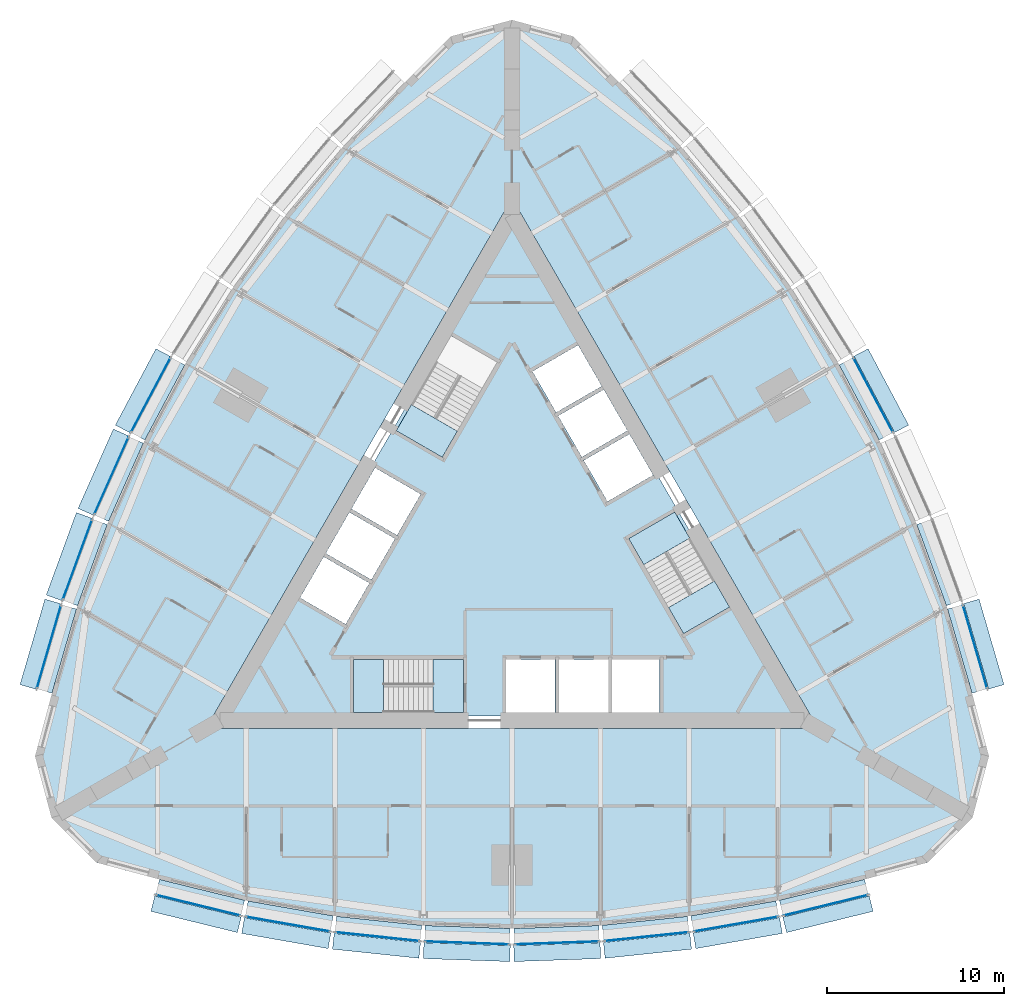
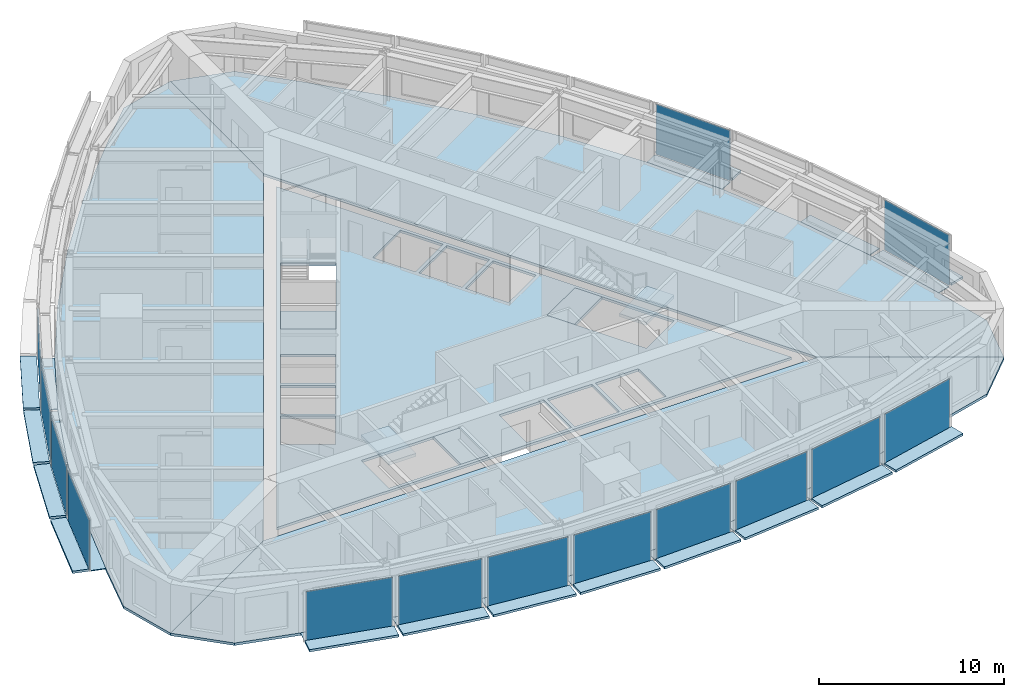
# One storey, part 6 of 14: 43 plates, 9 slabs, 17 elements without a shape of their own.
"""IFC4 building model written with IfcOpenShell, lengths in metres."""

from ifc_helpers import new_model, si_unit, direction, frame, origin, origin_2d, place, context, subcontext, project, spatial, polyline, rectangle, outline, extrude, material, layer, layer_set, type_object, element, aggregate, save


model = new_model("IFC4")

# Units and contexts
model_context = context("Model", 3, precision=1e-05, world=origin(), true_north=direction((0.0, 1.0)))
body_context = subcontext(model_context, "Body", "Model", "MODEL_VIEW")
ifc_project = project(units=[si_unit("LENGTHUNIT", "METRE"), si_unit("AREAUNIT", "SQUARE_METRE"), si_unit("VOLUMEUNIT", "CUBIC_METRE"), si_unit("PLANEANGLEUNIT", "RADIAN"), si_unit("MASSUNIT", "GRAM", prefix="KILO")], contexts=[model_context])

# Site, building, storey
site_placement = place(None, origin())
site = spatial("IfcSite", under=ifc_project, at=site_placement, CompositionType="ELEMENT")
building_placement = place(site_placement, origin())
building = spatial("IfcBuilding", under=site, at=building_placement, Name="Trikona Tower", CompositionType="ELEMENT")
storey_placement = place(building_placement, frame((0.0, 0.0, 182.699951171875)))
storey = spatial("IfcBuildingStorey", under=building, at=storey_placement, Name="L49", CompositionType="ELEMENT", Elevation=182.699951171875)

# Plates
ifc_material_1 = material(Name="Aluminium bar grating", Category="aluminium")
ifc_layer_1 = layer(ifc_material_1, 0.050048828125)
ifc_layer_set_1 = layer_set([ifc_layer_1], Name="Cavity catwalk grating")
plate_type_1 = type_object("IfcPlateType", Name="Cavity catwalk grating", PredefinedType="USERDEFINED", material=ifc_layer_set_1)
plate_1_placement = place(storey_placement, frame((-17.598876953125, -19.49072265625, -0.0498046875), z_axis=(0.0, 0.0, 1.0), x_axis=(0.971274411564, -0.237962218516, 0.0)))
element("IfcPlate", 1, at=plate_1_placement, inside=storey, type_object=plate_type_1, Name="Cavity catwalk L49-00", ObjectType="CATWALK GRATING", PredefinedType="USERDEFINED", context=body_context, shape_type="SweptSolid", body=[
    extrude(rectangle(XDim=4.947998046875, YDim=0.830078125, at=origin_2d()), origin(), (0.0, 0.0, 1.0), 0.050048828125),
])
plate_2_placement = place(storey_placement, frame((-12.571533203125, -20.54638671875, -0.0498046875), z_axis=(0.0, 0.0, 1.0), x_axis=(0.985030604067, -0.172379549401, 0.0)))
element("IfcPlate", 2, at=plate_2_placement, inside=storey, type_object=plate_type_1, Name="Cavity catwalk L49-01", ObjectType="CATWALK GRATING", PredefinedType="USERDEFINED", context=body_context, shape_type="SweptSolid", body=[
    extrude(rectangle(XDim=4.8759765625, YDim=0.830078125, at=origin_2d()), origin(), (0.0, 0.0, 1.0), 0.050048828125),
])
plate_3_placement = place(storey_placement, frame((-7.543212890625, -21.25048828125, -0.0498046875), z_axis=(0.0, 0.0, 1.0), x_axis=(0.994532653854, -0.104426052392, 0.0)))
element("IfcPlate", 3, at=plate_3_placement, inside=storey, type_object=plate_type_1, Name="Cavity catwalk L49-02", ObjectType="CATWALK GRATING", PredefinedType="USERDEFINED", context=body_context, shape_type="SweptSolid", body=[
    extrude(rectangle(XDim=4.827392578125, YDim=0.830078125, at=origin_2d()), origin(), (0.0, 0.0, 1.0), 0.050048828125),
])
for number, where, z_axis, x_axis, name in (
    (4, (-2.514404296875, -21.602294921875, -0.0498046875), (0.0, 0.0, 1.0), (0.999388082937, -0.034977988567, 0.0), "Cavity catwalk L49-03"),
    (5, (2.514404296875, -21.602294921875, -0.0498046875), (0.0, 0.0, 1.0), (0.999388082937, 0.034977988567, 0.0), "Cavity catwalk L49-04"),
):
    element("IfcPlate", number, at=place(storey_placement, frame(where, z_axis=z_axis, x_axis=x_axis)), inside=storey, type_object=plate_type_1, Name=name, ObjectType="CATWALK GRATING", PredefinedType="USERDEFINED", context=body_context, shape_type="SweptSolid", body=[
        extrude(rectangle(XDim=4.802978515625, YDim=0.830078125, at=origin_2d()), origin(), (0.0, 0.0, 1.0), 0.050048828125),
    ])
plate_4_placement = place(storey_placement, frame((7.543212890625, -21.25048828125, -0.0498046875), z_axis=(0.0, 0.0, 1.0), x_axis=(0.994532653854, 0.104426052392, 0.0)))
element("IfcPlate", 6, at=plate_4_placement, inside=storey, type_object=plate_type_1, Name="Cavity catwalk L49-05", ObjectType="CATWALK GRATING", PredefinedType="USERDEFINED", context=body_context, shape_type="SweptSolid", body=[
    extrude(rectangle(XDim=4.827392578125, YDim=0.830078125, at=origin_2d()), origin(), (0.0, 0.0, 1.0), 0.050048828125),
])
plate_5_placement = place(storey_placement, frame((12.571533203125, -20.54638671875, -0.0498046875), z_axis=(0.0, 0.0, 1.0), x_axis=(0.985030604067, 0.172379549401, 0.0)))
element("IfcPlate", 7, at=plate_5_placement, inside=storey, type_object=plate_type_1, Name="Cavity catwalk L49-06", ObjectType="CATWALK GRATING", PredefinedType="USERDEFINED", context=body_context, shape_type="SweptSolid", body=[
    extrude(rectangle(XDim=4.8759765625, YDim=0.830078125, at=origin_2d()), origin(), (0.0, 0.0, 1.0), 0.050048828125),
])
plate_6_placement = place(storey_placement, frame((17.598876953125, -19.49072265625, -0.0498046875), z_axis=(0.0, 0.0, 1.0), x_axis=(0.971274411564, 0.237962218516, 0.0)))
element("IfcPlate", 8, at=plate_6_placement, inside=storey, type_object=plate_type_1, Name="Cavity catwalk L49-07", ObjectType="CATWALK GRATING", PredefinedType="USERDEFINED", context=body_context, shape_type="SweptSolid", body=[
    extrude(rectangle(XDim=4.947998046875, YDim=0.830078125, at=origin_2d()), origin(), (0.0, 0.0, 1.0), 0.050048828125),
])
plate_7_placement = place(storey_placement, frame((25.678955078125, -5.49560546875, -0.0498046875), z_axis=(0.0, 0.0, 1.0), x_axis=(-0.279554203664, 0.960129911634, 0.0)))
element("IfcPlate", 9, at=plate_7_placement, inside=storey, type_object=plate_type_1, Name="Cavity catwalk L49-12", ObjectType="CATWALK GRATING", PredefinedType="USERDEFINED", context=body_context, shape_type="SweptSolid", body=[
    extrude(rectangle(XDim=4.94775390625, YDim=0.830078125, at=origin_2d()), origin(), (0.0, 0.0, 1.0), 0.050048828125),
])
plate_8_placement = place(storey_placement, frame((24.07958984375, -0.614013671875, -0.0498046875), z_axis=(0.0, 0.0, 1.0), x_axis=(-0.343220397324, 0.939254895575, 0.0)))
element("IfcPlate", 10, at=plate_8_placement, inside=storey, type_object=plate_type_1, Name="Cavity catwalk L49-13", ObjectType="CATWALK GRATING", PredefinedType="USERDEFINED", context=body_context, shape_type="SweptSolid", body=[
    extrude(rectangle(XDim=4.8759765625, YDim=0.830078125, at=origin_2d()), origin(), (0.0, 0.0, 1.0), 0.050048828125),
])
for number, where, z_axis, x_axis, name in (
    (11, (19.965576171875, 8.62353515625, -0.0498046875), (0.0, 0.0, 1.0), (-0.469397591494, 0.882986920118, 0.0), "Cavity catwalk L49-15"),
    (12, (-19.965576171875, 8.62353515625, -0.0498046875), (0.0, 0.0, 1.0), (-0.469397591494, -0.882986920118, 0.0), "Cavity catwalk L49-28"),
):
    element("IfcPlate", number, at=place(storey_placement, frame(where, z_axis=z_axis, x_axis=x_axis)), inside=storey, type_object=plate_type_1, Name=name, ObjectType="CATWALK GRATING", PredefinedType="USERDEFINED", context=body_context, shape_type="SweptSolid", body=[
        extrude(rectangle(XDim=4.802978515625, YDim=0.830078125, at=origin_2d()), origin(), (0.0, 0.0, 1.0), 0.050048828125),
    ])
plate_9_placement = place(storey_placement, frame((-22.175048828125, 4.092529296875, -0.0498046875), z_axis=(0.0, 0.0, 1.0), x_axis=(-0.406843467615, -0.913497888809, 0.0)))
element("IfcPlate", 13, at=plate_9_placement, inside=storey, type_object=plate_type_1, Name="Cavity catwalk L49-29", ObjectType="CATWALK GRATING", PredefinedType="USERDEFINED", context=body_context, shape_type="SweptSolid", body=[
    extrude(rectangle(XDim=4.827392578125, YDim=0.830078125, at=origin_2d()), origin(), (0.0, 0.0, 1.0), 0.050048828125),
])
plate_10_placement = place(storey_placement, frame((-24.07958984375, -0.614013671875, -0.0498046875), z_axis=(0.0, 0.0, 1.0), x_axis=(-0.343220397324, -0.939254895575, 0.0)))
element("IfcPlate", 14, at=plate_10_placement, inside=storey, type_object=plate_type_1, Name="Cavity catwalk L49-30", ObjectType="CATWALK GRATING", PredefinedType="USERDEFINED", context=body_context, shape_type="SweptSolid", body=[
    extrude(rectangle(XDim=4.8759765625, YDim=0.830078125, at=origin_2d()), origin(), (0.0, 0.0, 1.0), 0.050048828125),
])
plate_11_placement = place(storey_placement, frame((-25.678955078125, -5.49560546875, -0.0498046875), z_axis=(0.0, 0.0, 1.0), x_axis=(-0.279554203664, -0.960129911634, 0.0)))
element("IfcPlate", 15, at=plate_11_placement, inside=storey, type_object=plate_type_1, Name="Cavity catwalk L49-31", ObjectType="CATWALK GRATING", PredefinedType="USERDEFINED", context=body_context, shape_type="SweptSolid", body=[
    extrude(rectangle(XDim=4.94775390625, YDim=0.830078125, at=origin_2d()), origin(), (0.0, 0.0, 1.0), 0.050048828125),
])

# Slabs
ifc_material_2 = material(Name="Concrete f'c 5000 psi lightweight on composite steel deck", Category="concrete")
ifc_layer_2 = layer(ifc_material_2, 0.1650390625)
ifc_layer_set_2 = layer_set([ifc_layer_2], Name="Composite floor slab 165")
slab_type_1 = type_object("IfcSlabType", Name="Composite floor slab 165", PredefinedType="FLOOR", material=ifc_layer_set_2)
slab_1_placement = place(storey_placement, frame((0.0, 0.0, -0.1650390625)))
element("IfcSlab", 16, at=slab_1_placement, inside=storey, type_object=slab_type_1, Name="Floor slab L49 core", PredefinedType="FLOOR", context=body_context, shape_type="SweptSolid", body=[
    extrude(outline(polyline([(-16.06689453125, -9.2763671875), (16.06689453125, -9.2763671875), (0.0, 18.552490234375), (-16.06689453125, -9.2763671875)]), holes=[polyline([(12.285400390625, -3.126220703125), (9.185302734375, 2.2431640625), (6.587158203125, 0.7431640625), (9.687255859375, -4.626220703125), (12.285400390625, -3.126220703125)]), polyline([(8.340087890625, -9.06640625), (8.340087890625, -6.086181640625), (5.659912109375, -6.086181640625), (5.659912109375, -9.06640625), (8.340087890625, -9.06640625)]), polyline([(5.390869140625, 2.835205078125), (7.9716796875, 4.3251953125), (6.631591796875, 6.646240234375), (4.05078125, 5.15625), (5.390869140625, 2.835205078125)]), polyline([(2.600830078125, 7.667724609375), (3.94091796875, 5.3466796875), (6.521484375, 6.8369140625), (5.181640625, 9.15771484375), (2.600830078125, 7.667724609375)]), polyline([(5.43994140625, -6.086181640625), (2.659912109375, -6.086181640625), (2.659912109375, -9.06640625), (5.43994140625, -9.06640625), (5.43994140625, -6.086181640625)]), polyline([(3.731689453125, 11.669189453125), (1.15087890625, 10.17919921875), (2.490966796875, 7.858154296875), (5.071533203125, 9.34814453125), (3.731689453125, 11.669189453125)]), polyline([(-0.340087890625, -6.086181640625), (-0.340087890625, -9.06640625), (2.43994140625, -9.06640625), (2.43994140625, -6.086181640625), (-0.340087890625, -6.086181640625)]), polyline([(-3.435302734375, 12.202392578125), (-6.535400390625, 6.8330078125), (-3.937255859375, 5.3330078125), (-0.837158203125, 10.702392578125), (-3.435302734375, 12.202392578125)]), polyline([(-8.949951171875, -9.076416015625), (-2.75, -9.076416015625), (-2.75, -6.076416015625), (-8.949951171875, -6.076416015625), (-8.949951171875, -9.076416015625)]), polyline([(-5.15087890625, 3.2509765625), (-7.731689453125, 4.740966796875), (-9.071533203125, 2.419921875), (-6.490966796875, 0.929931640625), (-5.15087890625, 3.2509765625)]), polyline([(-7.94091796875, -1.581298828125), (-6.600830078125, 0.739501953125), (-9.181640625, 2.2294921875), (-10.521484375, -0.09130859375), (-7.94091796875, -1.581298828125)]), polyline([(-11.9716796875, -2.602783203125), (-9.390869140625, -4.093017578125), (-8.05078125, -1.77197265625), (-10.631591796875, -0.281982421875), (-11.9716796875, -2.602783203125)])]), origin(), (0.0, 0.0, 1.0), 0.1650390625),
])
slab_2_placement = place(storey_placement, frame((0.0, 0.0, -0.1650390625)))
element("IfcSlab", 17, at=slab_2_placement, inside=storey, type_object=slab_type_1, Name="Floor slab L49 south", PredefinedType="FLOOR", context=body_context, shape_type="SweptSolid", body=[
    extrude(outline(polyline([(23.464111328125, -17.547119140625), (26.0, -15.010986328125), (17.279296875, -9.976318359375), (-17.279296875, -9.976318359375), (-26.0, -15.010986328125), (-23.464111328125, -17.547119140625), (-20.0, -18.47509765625), (-15.0, -19.7001953125), (-10.0, -20.5751953125), (-5.0, -21.10009765625), (0.0, -21.275146484375), (5.0, -21.10009765625), (10.0, -20.5751953125), (15.0, -19.7001953125), (20.0, -18.47509765625), (23.464111328125, -17.547119140625)])), origin(), (0.0, 0.0, 1.0), 0.1650390625),
])
slab_3_placement = place(storey_placement, frame((0.0, 0.0, -0.1650390625)))
element("IfcSlab", 18, at=slab_3_placement, inside=storey, type_object=slab_type_1, Name="Floor slab L49 north-east", PredefinedType="FLOOR", context=body_context, shape_type="SweptSolid", body=[
    extrude(outline(polyline([(3.464111328125, 29.093994140625), (0.0, 30.022216796875), (0.0, 19.95263671875), (17.279296875, -9.976318359375), (26.0, -15.010986328125), (26.92822265625, -11.547119140625), (26.0, -8.0830078125), (24.560791015625, -3.140380859375), (22.818603515625, 1.62744140625), (20.773193359375, 6.219970703125), (18.4248046875, 10.6376953125), (15.773193359375, 14.880126953125), (12.818603515625, 18.947998046875), (9.560791015625, 22.840576171875), (6.0, 26.55810546875), (3.464111328125, 29.093994140625)])), origin(), (0.0, 0.0, 1.0), 0.1650390625),
])
slab_4_placement = place(storey_placement, frame((0.0, 0.0, -0.1650390625)))
element("IfcSlab", 19, at=slab_4_placement, inside=storey, type_object=slab_type_1, Name="Floor slab L49 north-west", PredefinedType="FLOOR", context=body_context, shape_type="SweptSolid", body=[
    extrude(outline(polyline([(0.0, 19.95263671875), (0.0, 30.022216796875), (-3.464111328125, 29.093994140625), (-6.0, 26.55810546875), (-9.560791015625, 22.840576171875), (-12.818603515625, 18.947998046875), (-15.773193359375, 14.880126953125), (-18.4248046875, 10.6376953125), (-20.773193359375, 6.219970703125), (-22.818603515625, 1.62744140625), (-24.560791015625, -3.140380859375), (-26.0, -8.0830078125), (-26.92822265625, -11.547119140625), (-26.0, -15.010986328125), (-17.279296875, -9.976318359375), (0.0, 19.95263671875)])), origin(), (0.0, 0.0, 1.0), 0.1650390625),
])

# Curtain wall, plate
ifc_material_3 = material(Name="Aluminium curtain wall system", Category="aluminium")
curtain_wall_type = type_object("IfcCurtainWallType", Name="Curtain wall DS2", PredefinedType="NOTDEFINED", material=ifc_material_3)
curtain_wall_1_placement = place(storey_placement, origin())
curtain_wall_1 = element("IfcCurtainWall", 20, at=curtain_wall_1_placement, inside=storey, type_object=curtain_wall_type, Name="Curtain wall DS2 L49", PredefinedType="NOTDEFINED")
ifc_material_4 = material(Name="Laminated clear glass", Category="glass")
ifc_layer_3 = layer(ifc_material_4, 0.028076171875)
ifc_layer_set_3 = layer_set([ifc_layer_3], Name="Glass panel DS2")
plate_type_2 = type_object("IfcPlateType", Name="Glass panel DS2", PredefinedType="CURTAIN_PANEL", material=ifc_layer_set_3)
plate_12_placement = place(storey_placement, frame((-17.714111328125, -19.9619140625, 0.0), z_axis=(0.0, 0.0, 1.0), x_axis=(0.971272455026, -0.237970204243, 0.0)))
plate_12 = element("IfcPlate", 21, at=plate_12_placement, type_object=plate_type_2, Name="CW-DS2 panel 1.1", PredefinedType="CURTAIN_PANEL", context=body_context, shape_type="SweptSolid", body=[
    extrude(rectangle(XDim=4.867919921875, YDim=0.028076171875, at=origin_2d()), origin(), (0.0, 0.0, 1.0), 3.320068359375),
])
aggregate(curtain_wall_1, [plate_12])

curtain_wall_2_placement = place(storey_placement, origin())
curtain_wall_2 = element("IfcCurtainWall", 22, at=curtain_wall_2_placement, inside=storey, type_object=curtain_wall_type, Name="Curtain wall DS2 L49", PredefinedType="NOTDEFINED")
plate_13_placement = place(storey_placement, frame((-12.655029296875, -21.024169921875, 0.0), z_axis=(0.0, 0.0, 1.0), x_axis=(0.985030981074, -0.17237739505, 0.0)))
plate_13 = element("IfcPlate", 23, at=plate_13_placement, type_object=plate_type_2, Name="CW-DS2 panel 1.1", PredefinedType="CURTAIN_PANEL", context=body_context, shape_type="SweptSolid", body=[
    extrude(rectangle(XDim=4.7958984375, YDim=0.028076171875, at=origin_2d()), origin(), (0.0, 0.0, 1.0), 3.320068359375),
])
aggregate(curtain_wall_2, [plate_13])

curtain_wall_3_placement = place(storey_placement, origin())
curtain_wall_3 = element("IfcCurtainWall", 24, at=curtain_wall_3_placement, inside=storey, type_object=curtain_wall_type, Name="Curtain wall DS2 L49", PredefinedType="NOTDEFINED")
plate_14_placement = place(storey_placement, frame((-7.593994140625, -21.732666015625, 0.0), z_axis=(0.0, 0.0, 1.0), x_axis=(0.994531883654, -0.104433387357, 0.0)))
plate_14 = element("IfcPlate", 25, at=plate_14_placement, type_object=plate_type_2, Name="CW-DS2 panel 1.1", PredefinedType="CURTAIN_PANEL", context=body_context, shape_type="SweptSolid", body=[
    extrude(rectangle(XDim=4.747314453125, YDim=0.028076171875, at=origin_2d()), origin(), (0.0, 0.0, 1.0), 3.320068359375),
])
aggregate(curtain_wall_3, [plate_14])

curtain_wall_4_placement = place(storey_placement, origin())
curtain_wall_4 = element("IfcCurtainWall", 26, at=curtain_wall_4_placement, inside=storey, type_object=curtain_wall_type, Name="Curtain wall DS2 L49", PredefinedType="NOTDEFINED")
plate_15_placement = place(storey_placement, frame((-2.531494140625, -22.087158203125, 0.0), z_axis=(0.0, 0.0, 1.0), x_axis=(0.99938737114, -0.034998320052, 0.0)))
plate_15 = element("IfcPlate", 27, at=plate_15_placement, type_object=plate_type_2, Name="CW-DS2 panel 1.1", PredefinedType="CURTAIN_PANEL", context=body_context, shape_type="SweptSolid", body=[
    extrude(rectangle(XDim=4.72314453125, YDim=0.028076171875, at=origin_2d()), origin(), (0.0, 0.0, 1.0), 3.320068359375),
])
aggregate(curtain_wall_4, [plate_15])

curtain_wall_5_placement = place(storey_placement, origin())
curtain_wall_5 = element("IfcCurtainWall", 28, at=curtain_wall_5_placement, inside=storey, type_object=curtain_wall_type, Name="Curtain wall DS2 L49", PredefinedType="NOTDEFINED")
plate_16_placement = place(storey_placement, frame((2.531494140625, -22.087158203125, 0.0), z_axis=(0.0, 0.0, 1.0), x_axis=(0.99938737114, 0.034998320052, 0.0)))
plate_16 = element("IfcPlate", 29, at=plate_16_placement, type_object=plate_type_2, Name="CW-DS2 panel 1.1", PredefinedType="CURTAIN_PANEL", context=body_context, shape_type="SweptSolid", body=[
    extrude(rectangle(XDim=4.72314453125, YDim=0.028076171875, at=origin_2d()), origin(), (0.0, 0.0, 1.0), 3.320068359375),
])
aggregate(curtain_wall_5, [plate_16])

curtain_wall_6_placement = place(storey_placement, origin())
curtain_wall_6 = element("IfcCurtainWall", 30, at=curtain_wall_6_placement, inside=storey, type_object=curtain_wall_type, Name="Curtain wall DS2 L49", PredefinedType="NOTDEFINED")
plate_17_placement = place(storey_placement, frame((7.593994140625, -21.732666015625, 0.0), z_axis=(0.0, 0.0, 1.0), x_axis=(0.994531883654, 0.104433387357, 0.0)))
plate_17 = element("IfcPlate", 31, at=plate_17_placement, type_object=plate_type_2, Name="CW-DS2 panel 1.1", PredefinedType="CURTAIN_PANEL", context=body_context, shape_type="SweptSolid", body=[
    extrude(rectangle(XDim=4.747314453125, YDim=0.028076171875, at=origin_2d()), origin(), (0.0, 0.0, 1.0), 3.320068359375),
])
aggregate(curtain_wall_6, [plate_17])

curtain_wall_7_placement = place(storey_placement, origin())
curtain_wall_7 = element("IfcCurtainWall", 32, at=curtain_wall_7_placement, inside=storey, type_object=curtain_wall_type, Name="Curtain wall DS2 L49", PredefinedType="NOTDEFINED")
plate_18_placement = place(storey_placement, frame((12.655029296875, -21.024169921875, 0.0), z_axis=(0.0, 0.0, 1.0), x_axis=(0.985030981074, 0.17237739505, 0.0)))
plate_18 = element("IfcPlate", 33, at=plate_18_placement, type_object=plate_type_2, Name="CW-DS2 panel 1.1", PredefinedType="CURTAIN_PANEL", context=body_context, shape_type="SweptSolid", body=[
    extrude(rectangle(XDim=4.7958984375, YDim=0.028076171875, at=origin_2d()), origin(), (0.0, 0.0, 1.0), 3.320068359375),
])
aggregate(curtain_wall_7, [plate_18])

curtain_wall_8_placement = place(storey_placement, origin())
curtain_wall_8 = element("IfcCurtainWall", 34, at=curtain_wall_8_placement, inside=storey, type_object=curtain_wall_type, Name="Curtain wall DS2 L49", PredefinedType="NOTDEFINED")
plate_19_placement = place(storey_placement, frame((17.714111328125, -19.9619140625, 0.0), z_axis=(0.0, 0.0, 1.0), x_axis=(0.971272455026, 0.237970204243, 0.0)))
plate_19 = element("IfcPlate", 35, at=plate_19_placement, type_object=plate_type_2, Name="CW-DS2 panel 1.1", PredefinedType="CURTAIN_PANEL", context=body_context, shape_type="SweptSolid", body=[
    extrude(rectangle(XDim=4.867919921875, YDim=0.028076171875, at=origin_2d()), origin(), (0.0, 0.0, 1.0), 3.320068359375),
])
aggregate(curtain_wall_8, [plate_19])

curtain_wall_9_placement = place(storey_placement, origin())
curtain_wall_9 = element("IfcCurtainWall", 36, at=curtain_wall_9_placement, inside=storey, type_object=curtain_wall_type, Name="Curtain wall DS2 L49", PredefinedType="NOTDEFINED")
plate_20_placement = place(storey_placement, frame((26.14453125, -5.360107421875, 0.0), z_axis=(0.0, 0.0, 1.0), x_axis=(-0.279543247757, 0.96013310152, 0.0)))
plate_20 = element("IfcPlate", 37, at=plate_20_placement, type_object=plate_type_2, Name="CW-DS2 panel 1.1", PredefinedType="CURTAIN_PANEL", context=body_context, shape_type="SweptSolid", body=[
    extrude(rectangle(XDim=4.867919921875, YDim=0.028076171875, at=origin_2d()), origin(), (0.0, 0.0, 1.0), 3.320068359375),
])
aggregate(curtain_wall_9, [plate_20])

curtain_wall_10_placement = place(storey_placement, origin())
curtain_wall_10 = element("IfcCurtainWall", 38, at=curtain_wall_10_placement, inside=storey, type_object=curtain_wall_type, Name="Curtain wall DS2 L49", PredefinedType="NOTDEFINED")
plate_21_placement = place(storey_placement, frame((20.393798828125, 8.851318359375, 0.0), z_axis=(0.0, 0.0, 1.0), x_axis=(-0.469380308937, 0.882996107343, 0.0)))
plate_21 = element("IfcPlate", 39, at=plate_21_placement, type_object=plate_type_2, Name="CW-DS2 panel 1.1", PredefinedType="CURTAIN_PANEL", context=body_context, shape_type="SweptSolid", body=[
    extrude(rectangle(XDim=4.72314453125, YDim=0.028076171875, at=origin_2d()), origin(), (0.0, 0.0, 1.0), 3.320068359375),
])
aggregate(curtain_wall_10, [plate_21])

curtain_wall_11_placement = place(storey_placement, origin())
curtain_wall_11 = element("IfcCurtainWall", 40, at=curtain_wall_11_placement, inside=storey, type_object=curtain_wall_type, Name="Curtain wall DS2 L49", PredefinedType="NOTDEFINED")
plate_22_placement = place(storey_placement, frame((-20.393798828125, 8.851318359375, 0.0), z_axis=(0.0, 0.0, 1.0), x_axis=(-0.469380308937, -0.882996107343, 0.0)))
plate_22 = element("IfcPlate", 41, at=plate_22_placement, type_object=plate_type_2, Name="CW-DS2 panel 1.1", PredefinedType="CURTAIN_PANEL", context=body_context, shape_type="SweptSolid", body=[
    extrude(rectangle(XDim=4.72314453125, YDim=0.028076171875, at=origin_2d()), origin(), (0.0, 0.0, 1.0), 3.320068359375),
])
aggregate(curtain_wall_11, [plate_22])

curtain_wall_12_placement = place(storey_placement, origin())
curtain_wall_12 = element("IfcCurtainWall", 42, at=curtain_wall_12_placement, inside=storey, type_object=curtain_wall_type, Name="Curtain wall DS2 L49", PredefinedType="NOTDEFINED")
plate_23_placement = place(storey_placement, frame((-22.6181640625, 4.289794921875, 0.0), z_axis=(0.0, 0.0, 1.0), x_axis=(-0.406836013132, -0.913501208767, 0.0)))
plate_23 = element("IfcPlate", 43, at=plate_23_placement, type_object=plate_type_2, Name="CW-DS2 panel 1.1", PredefinedType="CURTAIN_PANEL", context=body_context, shape_type="SweptSolid", body=[
    extrude(rectangle(XDim=4.747314453125, YDim=0.028076171875, at=origin_2d()), origin(), (0.0, 0.0, 1.0), 3.320068359375),
])
aggregate(curtain_wall_12, [plate_23])

curtain_wall_13_placement = place(storey_placement, origin())
curtain_wall_13 = element("IfcCurtainWall", 44, at=curtain_wall_13_placement, inside=storey, type_object=curtain_wall_type, Name="Curtain wall DS2 L49", PredefinedType="NOTDEFINED")
plate_24_placement = place(storey_placement, frame((-24.53515625, -0.447509765625, 0.0), z_axis=(0.0, 0.0, 1.0), x_axis=(-0.343223420143, -0.939253790978, 0.0)))
plate_24 = element("IfcPlate", 45, at=plate_24_placement, type_object=plate_type_2, Name="CW-DS2 panel 1.1", PredefinedType="CURTAIN_PANEL", context=body_context, shape_type="SweptSolid", body=[
    extrude(rectangle(XDim=4.7958984375, YDim=0.028076171875, at=origin_2d()), origin(), (0.0, 0.0, 1.0), 3.320068359375),
])
aggregate(curtain_wall_13, [plate_24])

curtain_wall_14_placement = place(storey_placement, origin())
curtain_wall_14 = element("IfcCurtainWall", 46, at=curtain_wall_14_placement, inside=storey, type_object=curtain_wall_type, Name="Curtain wall DS2 L49", PredefinedType="NOTDEFINED")
plate_25_placement = place(storey_placement, frame((-26.14453125, -5.360107421875, 0.0), z_axis=(0.0, 0.0, 1.0), x_axis=(-0.279543247757, -0.96013310152, 0.0)))
plate_25 = element("IfcPlate", 47, at=plate_25_placement, type_object=plate_type_2, Name="CW-DS2 panel 1.1", PredefinedType="CURTAIN_PANEL", context=body_context, shape_type="SweptSolid", body=[
    extrude(rectangle(XDim=4.867919921875, YDim=0.028076171875, at=origin_2d()), origin(), (0.0, 0.0, 1.0), 3.320068359375),
])
aggregate(curtain_wall_14, [plate_25])

# Plates
ifc_material_5 = material(Name="Aluminium plate fin, pale anodised, on stainless steel outriggers", Category="steel")
ifc_layer_4 = layer(ifc_material_5, 0.14990234375)
ifc_layer_set_4 = layer_set([ifc_layer_4], Name="Outer skin fin 900")
plate_type_3 = type_object("IfcPlateType", Name="Outer skin fin 900", PredefinedType="USERDEFINED", material=ifc_layer_set_4)
plate_26_placement = place(storey_placement, frame((-17.837890625, -20.466796875, 0.0), z_axis=(0.0, 0.0, 1.0), x_axis=(0.971274411564, -0.237962218516, 0.0)))
element("IfcPlate", 48, at=plate_26_placement, inside=storey, type_object=plate_type_3, Name="Outer skin fin L49-00", ObjectType="FIN", PredefinedType="USERDEFINED", context=body_context, shape_type="SweptSolid", body=[
    extrude(rectangle(XDim=5.02783203125, YDim=0.89990234375, at=origin_2d()), origin(), (0.0, 0.0, 1.0), 0.14990234375),
])
plate_27_placement = place(storey_placement, frame((-12.744873046875, -21.536376953125, 0.0), z_axis=(0.0, 0.0, 1.0), x_axis=(0.985030604067, -0.172379549401, 0.0)))
element("IfcPlate", 49, at=plate_27_placement, inside=storey, type_object=plate_type_3, Name="Outer skin fin L49-01", ObjectType="FIN", PredefinedType="USERDEFINED", context=body_context, shape_type="SweptSolid", body=[
    extrude(rectangle(XDim=4.9560546875, YDim=0.89990234375, at=origin_2d()), origin(), (0.0, 0.0, 1.0), 0.14990234375),
])
plate_28_placement = place(storey_placement, frame((-7.648193359375, -22.25, 0.0), z_axis=(0.0, 0.0, 1.0), x_axis=(0.994532653854, -0.104426052392, 0.0)))
element("IfcPlate", 50, at=plate_28_placement, inside=storey, type_object=plate_type_3, Name="Outer skin fin L49-02", ObjectType="FIN", PredefinedType="USERDEFINED", context=body_context, shape_type="SweptSolid", body=[
    extrude(rectangle(XDim=4.907470703125, YDim=0.89990234375, at=origin_2d()), origin(), (0.0, 0.0, 1.0), 0.14990234375),
])
for number, where, z_axis, x_axis, name in (
    (51, (-2.5498046875, -22.606689453125, 0.0), (0.0, 0.0, 1.0), (0.999388082937, -0.034977988567, 0.0), "Outer skin fin L49-03"),
    (52, (2.5498046875, -22.606689453125, 0.0), (0.0, 0.0, 1.0), (0.999388082937, 0.034977988567, 0.0), "Outer skin fin L49-04"),
):
    element("IfcPlate", number, at=place(storey_placement, frame(where, z_axis=z_axis, x_axis=x_axis)), inside=storey, type_object=plate_type_3, Name=name, ObjectType="FIN", PredefinedType="USERDEFINED", context=body_context, shape_type="SweptSolid", body=[
        extrude(rectangle(XDim=4.883056640625, YDim=0.89990234375, at=origin_2d()), origin(), (0.0, 0.0, 1.0), 0.14990234375),
    ])
plate_29_placement = place(storey_placement, frame((7.648193359375, -22.25, 0.0), z_axis=(0.0, 0.0, 1.0), x_axis=(0.994532653854, 0.104426052392, 0.0)))
element("IfcPlate", 53, at=plate_29_placement, inside=storey, type_object=plate_type_3, Name="Outer skin fin L49-05", ObjectType="FIN", PredefinedType="USERDEFINED", context=body_context, shape_type="SweptSolid", body=[
    extrude(rectangle(XDim=4.907470703125, YDim=0.89990234375, at=origin_2d()), origin(), (0.0, 0.0, 1.0), 0.14990234375),
])
plate_30_placement = place(storey_placement, frame((12.744873046875, -21.536376953125, 0.0), z_axis=(0.0, 0.0, 1.0), x_axis=(0.985030604067, 0.172379549401, 0.0)))
element("IfcPlate", 54, at=plate_30_placement, inside=storey, type_object=plate_type_3, Name="Outer skin fin L49-06", ObjectType="FIN", PredefinedType="USERDEFINED", context=body_context, shape_type="SweptSolid", body=[
    extrude(rectangle(XDim=4.9560546875, YDim=0.89990234375, at=origin_2d()), origin(), (0.0, 0.0, 1.0), 0.14990234375),
])
for number, where, z_axis, x_axis, name in (
    (55, (17.837890625, -20.466796875, 0.0), (0.0, 0.0, 1.0), (0.971274411564, 0.237962218516, 0.0), "Outer skin fin L49-07"),
    (56, (26.643798828125, -5.214599609375, 0.0), (0.0, 0.0, 1.0), (-0.279554203664, 0.960129911634, 0.0), "Outer skin fin L49-12"),
):
    element("IfcPlate", number, at=place(storey_placement, frame(where, z_axis=z_axis, x_axis=x_axis)), inside=storey, type_object=plate_type_3, Name=name, ObjectType="FIN", PredefinedType="USERDEFINED", context=body_context, shape_type="SweptSolid", body=[
        extrude(rectangle(XDim=5.02783203125, YDim=0.89990234375, at=origin_2d()), origin(), (0.0, 0.0, 1.0), 0.14990234375),
    ])
for number, where, z_axis, x_axis, name in (
    (57, (20.852783203125, 9.09521484375, 0.0), (0.0, 0.0, 1.0), (-0.469397591494, 0.882986920118, 0.0), "Outer skin fin L49-15"),
    (58, (-20.852783203125, 9.09521484375, 0.0), (0.0, 0.0, 1.0), (-0.469397591494, -0.882986920118, 0.0), "Outer skin fin L49-28"),
):
    element("IfcPlate", number, at=place(storey_placement, frame(where, z_axis=z_axis, x_axis=x_axis)), inside=storey, type_object=plate_type_3, Name=name, ObjectType="FIN", PredefinedType="USERDEFINED", context=body_context, shape_type="SweptSolid", body=[
        extrude(rectangle(XDim=4.883056640625, YDim=0.89990234375, at=origin_2d()), origin(), (0.0, 0.0, 1.0), 0.14990234375),
    ])
plate_31_placement = place(storey_placement, frame((-23.09326171875, 4.50146484375, 0.0), z_axis=(0.0, 0.0, 1.0), x_axis=(-0.406843467615, -0.913497888809, 0.0)))
element("IfcPlate", 59, at=plate_31_placement, inside=storey, type_object=plate_type_3, Name="Outer skin fin L49-29", ObjectType="FIN", PredefinedType="USERDEFINED", context=body_context, shape_type="SweptSolid", body=[
    extrude(rectangle(XDim=4.907470703125, YDim=0.89990234375, at=origin_2d()), origin(), (0.0, 0.0, 1.0), 0.14990234375),
])
plate_32_placement = place(storey_placement, frame((-25.0234375, -0.26904296875, 0.0), z_axis=(0.0, 0.0, 1.0), x_axis=(-0.343220397324, -0.939254895575, 0.0)))
element("IfcPlate", 60, at=plate_32_placement, inside=storey, type_object=plate_type_3, Name="Outer skin fin L49-30", ObjectType="FIN", PredefinedType="USERDEFINED", context=body_context, shape_type="SweptSolid", body=[
    extrude(rectangle(XDim=4.9560546875, YDim=0.89990234375, at=origin_2d()), origin(), (0.0, 0.0, 1.0), 0.14990234375),
])
plate_33_placement = place(storey_placement, frame((-26.643798828125, -5.214599609375, 0.0), z_axis=(0.0, 0.0, 1.0), x_axis=(-0.279554203664, -0.960129911634, 0.0)))
element("IfcPlate", 61, at=plate_33_placement, inside=storey, type_object=plate_type_3, Name="Outer skin fin L49-31", ObjectType="FIN", PredefinedType="USERDEFINED", context=body_context, shape_type="SweptSolid", body=[
    extrude(rectangle(XDim=5.02783203125, YDim=0.89990234375, at=origin_2d()), origin(), (0.0, 0.0, 1.0), 0.14990234375),
])

# Stair, slabs
ifc_material_6 = material(Name="Concrete f'c 5000 psi", Category="concrete")
stair_type = type_object("IfcStairType", Name="Core stair", PredefinedType="HALF_TURN_STAIR", material=ifc_material_6)
stair_1_placement = place(storey_placement, origin())
stair_1 = element("IfcStair", 62, at=stair_1_placement, inside=storey, type_object=stair_type, Name="Stair A L49", PredefinedType="HALF_TURN_STAIR")
ifc_material_7 = material(Name="Concrete f'c 5000 psi", Category="concrete")
ifc_layer_5 = layer(ifc_material_7, 0.199951171875)
ifc_layer_set_5 = layer_set([ifc_layer_5], Name="Stair landing 200")
slab_type_2 = type_object("IfcSlabType", Name="Stair landing 200", PredefinedType="LANDING", material=ifc_layer_set_5)
slab_5_placement = place(storey_placement, frame((0.0, 0.0, -0.199951171875)))
slab_5 = element("IfcSlab", 63, at=slab_5_placement, type_object=slab_type_2, Name="ST-A landing 1", PredefinedType="LANDING", context=body_context, shape_type="SweptSolid", body=[
    extrude(outline(polyline([(-4.452880859375, -6.076416015625), (-2.75, -6.076416015625), (-2.75, -9.076416015625), (-4.452880859375, -9.076416015625), (-4.452880859375, -6.076416015625)])), origin(), (0.0, 0.0, 1.0), 0.199951171875),
])
slab_6_placement = place(storey_placement, frame((0.0, 0.0, 1.5)))
slab_6 = element("IfcSlab", 64, at=slab_6_placement, type_object=slab_type_2, Name="ST-A landing 2", PredefinedType="LANDING", context=body_context, shape_type="SweptSolid", body=[
    extrude(outline(polyline([(-8.949951171875, -6.076416015625), (-7.2470703125, -6.076416015625), (-7.2470703125, -9.076416015625), (-8.949951171875, -9.076416015625), (-8.949951171875, -6.076416015625)])), origin(), (0.0, 0.0, 1.0), 0.199951171875),
])
aggregate(stair_1, [slab_5, slab_6])

stair_2_placement = place(storey_placement, origin())
stair_2 = element("IfcStair", 65, at=stair_2_placement, inside=storey, type_object=stair_type, Name="Stair B L49", PredefinedType="HALF_TURN_STAIR")
slab_7_placement = place(storey_placement, frame((0.0, 0.0, -0.199951171875)))
slab_7 = element("IfcSlab", 66, at=slab_7_placement, type_object=slab_type_2, Name="ST-B landing 1", PredefinedType="LANDING", context=body_context, shape_type="SweptSolid", body=[
    extrude(outline(polyline([(7.438720703125, -0.731689453125), (6.587158203125, 0.7431640625), (9.185302734375, 2.2431640625), (10.036865234375, 0.768310546875), (7.438720703125, -0.731689453125)])), origin(), (0.0, 0.0, 1.0), 0.199951171875),
])
slab_8_placement = place(storey_placement, frame((0.0, 0.0, 1.5)))
slab_8 = element("IfcSlab", 67, at=slab_8_placement, type_object=slab_type_2, Name="ST-B landing 2", PredefinedType="LANDING", context=body_context, shape_type="SweptSolid", body=[
    extrude(outline(polyline([(9.687255859375, -4.626220703125), (8.835693359375, -3.1513671875), (11.433837890625, -1.6513671875), (12.285400390625, -3.126220703125), (9.687255859375, -4.626220703125)])), origin(), (0.0, 0.0, 1.0), 0.199951171875),
])
aggregate(stair_2, [slab_7, slab_8])

# Stair, slab
stair_3_placement = place(storey_placement, origin())
stair_3 = element("IfcStair", 68, at=stair_3_placement, inside=storey, type_object=stair_type, Name="Stair C L49", PredefinedType="HALF_TURN_STAIR")
slab_9_placement = place(storey_placement, frame((0.0, 0.0, -0.199951171875)))
slab_9 = element("IfcSlab", 69, at=slab_9_placement, type_object=slab_type_2, Name="ST-C landing 1", PredefinedType="LANDING", context=body_context, shape_type="SweptSolid", body=[
    extrude(outline(polyline([(-3.085693359375, 6.807861328125), (-3.937255859375, 5.3330078125), (-6.535400390625, 6.8330078125), (-5.683837890625, 8.307861328125), (-3.085693359375, 6.807861328125)])), origin(), (0.0, 0.0, 1.0), 0.199951171875),
])
aggregate(stair_3, [slab_9])

save(model, "model.ifc")
